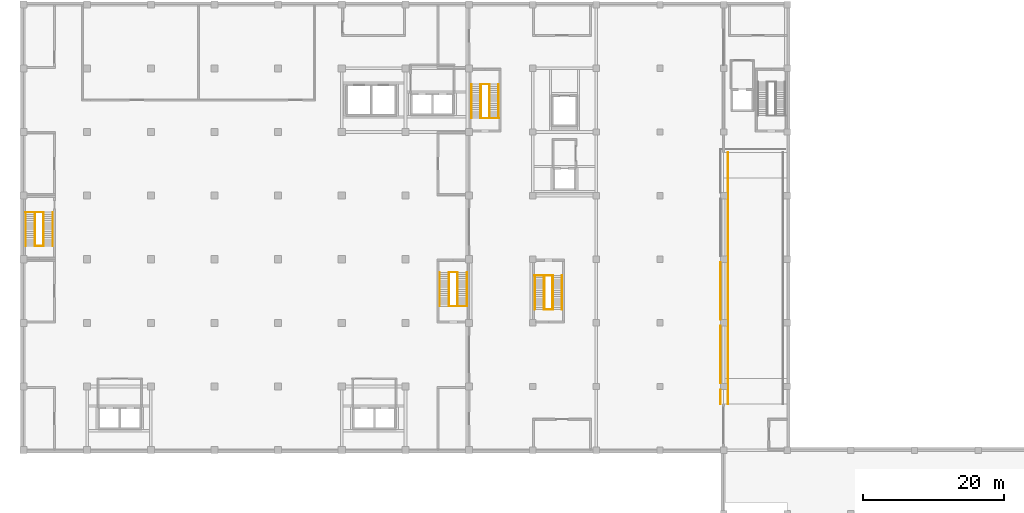
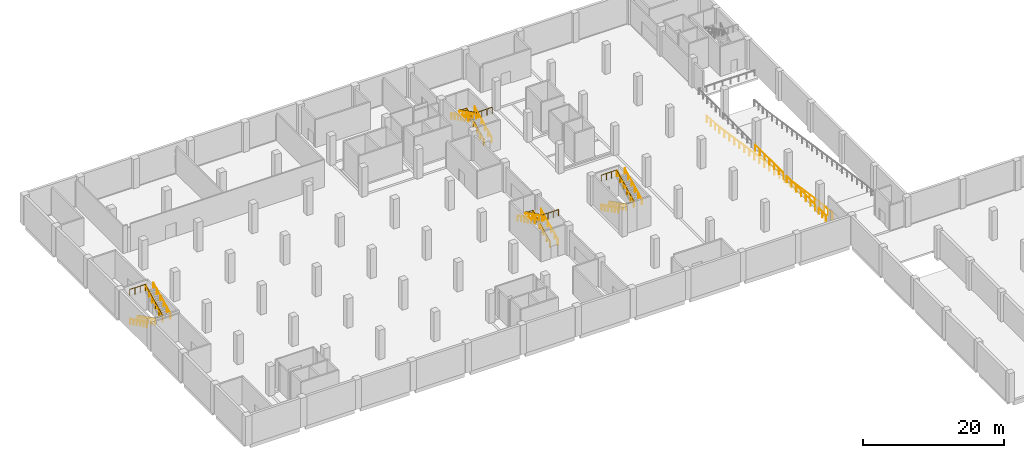
# One storey, part 14 of 16: 24 railings.
"""IFC4 building model written with IfcOpenShell, lengths in metres."""

from ifc_helpers import new_model, si_unit, direction, frame, origin, origin_2d, place, context, subcontext, project, spatial, circle, extrude, material, type_object, element, save


model = new_model("IFC4")

# Units and contexts
model_context = context("Model", 3, precision=1e-05, world=origin(), true_north=direction((0.0, 1.0)))
body_context = subcontext(model_context, "Body", "Model", "MODEL_VIEW")
ifc_project = project(units=[si_unit("LENGTHUNIT", "METRE"), si_unit("AREAUNIT", "SQUARE_METRE"), si_unit("VOLUMEUNIT", "CUBIC_METRE"), si_unit("PLANEANGLEUNIT", "RADIAN"), si_unit("MASSUNIT", "GRAM", prefix="KILO")], contexts=[model_context])

# Site, building, storey
site_placement = place(None, origin())
site = spatial("IfcSite", under=ifc_project, at=site_placement, CompositionType="ELEMENT")
building_placement = place(site_placement, origin())
building = spatial("IfcBuilding", under=site, at=building_placement, Name="Guidao Yard Department Store", CompositionType="ELEMENT")
storey_placement = place(building_placement, frame((0.0, 0.0, -5.10009765625)))
storey = spatial("IfcBuildingStorey", under=building, at=storey_placement, Name="B1", CompositionType="ELEMENT", Elevation=-5.10009765625)

# Railings
ifc_material_1 = material(Name="Steel Q235", Category="steel")
railing_type_1 = type_object("IfcRailingType", Name="Guard steel balustrade 1100", PredefinedType="GUARDRAIL", material=ifc_material_1)
railing_1_placement = place(storey_placement, frame((73.64990234375, 69.699951171875, 0.150146484375)))
element("IfcRailing", 1, at=railing_1_placement, inside=storey, type_object=railing_type_1, Name="Basement stair G1 guard B1 1", PredefinedType="GUARDRAIL", context=body_context, shape_type="SweptSolid", body=[
    extrude(circle(Radius=0.02392578125, at=origin_2d()), frame((0.0, 0.0, 1.076171875), z_axis=(0.0, -0.894436289399, 0.44719539824), x_axis=(1.0, 0.0, 0.0)), (0.0, 0.0, 1.0), 5.366455078125),
    extrude(circle(Radius=0.02392578125, at=origin_2d()), frame((0.0, -4.800048828125, 3.47607421875), z_axis=(1.0, 0.0, 0.0), x_axis=(0.0, 1.0, 0.0)), (0.0, 0.0, 1.0), 1.150146484375),
    extrude(circle(Radius=0.02392578125, at=origin_2d()), frame((1.150146484375, -4.800048828125, 3.47607421875), z_axis=(0.0, 0.0, 1.0), x_axis=(1.0, 0.0, 0.0)), (0.0, 0.0, 1.0), 0.150146484375),
    extrude(circle(Radius=0.02392578125, at=origin_2d()), frame((1.150146484375, -4.800048828125, 3.6259765625), z_axis=(0.0, 0.894436289399, 0.44719539824), x_axis=(-1.0, 0.0, 0.0)), (0.0, 0.0, 1.0), 5.366455078125),
    extrude(circle(Radius=0.02392578125, at=origin_2d()), frame((1.150146484375, 0.0, 6.02587890625), z_axis=(-1.0, 0.0, 0.0), x_axis=(0.0, -1.0, 0.0)), (0.0, 0.0, 1.0), 2.550048828125),
    extrude(circle(Radius=0.02099609375, at=origin_2d()), origin(), (0.0, 0.0, 1.0), 1.052001953125),
    extrude(circle(Radius=0.02099609375, at=origin_2d()), frame((0.0, -0.9599609375, 0.47998046875)), (0.0, 0.0, 1.0), 1.052001953125),
    extrude(circle(Radius=0.02099609375, at=origin_2d()), frame((0.0, -1.919921875, 0.9599609375)), (0.0, 0.0, 1.0), 1.052001953125),
    extrude(circle(Radius=0.02099609375, at=origin_2d()), frame((0.0, -2.880126953125, 1.43994140625)), (0.0, 0.0, 1.0), 1.052001953125),
    extrude(circle(Radius=0.02099609375, at=origin_2d()), frame((0.0, -3.840087890625, 1.919921875)), (0.0, 0.0, 1.0), 1.052001953125),
    extrude(circle(Radius=0.02099609375, at=origin_2d()), frame((0.0, -4.800048828125, 2.39990234375)), (0.0, 0.0, 1.0), 1.052001953125),
    extrude(circle(Radius=0.02099609375, at=origin_2d()), frame((1.150146484375, -4.800048828125, 2.39990234375)), (0.0, 0.0, 1.0), 1.052001953125),
    extrude(circle(Radius=0.02099609375, at=origin_2d()), frame((1.150146484375, -4.800048828125, 2.550048828125)), (0.0, 0.0, 1.0), 1.052001953125),
    extrude(circle(Radius=0.02099609375, at=origin_2d()), frame((1.150146484375, -3.840087890625, 3.030029296875)), (0.0, 0.0, 1.0), 1.052001953125),
    extrude(circle(Radius=0.02099609375, at=origin_2d()), frame((1.150146484375, -2.880126953125, 3.510009765625)), (0.0, 0.0, 1.0), 1.052001953125),
    extrude(circle(Radius=0.02099609375, at=origin_2d()), frame((1.150146484375, -1.919921875, 3.989990234375)), (0.0, 0.0, 1.0), 1.052001953125),
    extrude(circle(Radius=0.02099609375, at=origin_2d()), frame((1.150146484375, -0.9599609375, 4.469970703125)), (0.0, 0.0, 1.0), 1.052001953125),
    extrude(circle(Radius=0.02099609375, at=origin_2d()), frame((1.150146484375, 0.0, 4.949951171875)), (0.0, 0.0, 1.0), 1.052001953125),
    extrude(circle(Radius=0.02099609375, at=origin_2d()), frame((0.300048828125, 0.0, 4.949951171875)), (0.0, 0.0, 1.0), 1.052001953125),
    extrude(circle(Radius=0.02099609375, at=origin_2d()), frame((-0.5498046875, 0.0, 4.949951171875)), (0.0, 0.0, 1.0), 1.052001953125),
    extrude(circle(Radius=0.02099609375, at=origin_2d()), frame((-1.39990234375, 0.0, 4.949951171875)), (0.0, 0.0, 1.0), 1.052001953125),
])
railing_2_placement = place(storey_placement, frame((1.64990234375, 78.64990234375, 0.150146484375)))
element("IfcRailing", 2, at=railing_2_placement, inside=storey, type_object=railing_type_1, Name="Basement stair H1 guard B1 3", PredefinedType="GUARDRAIL", context=body_context, shape_type="SweptSolid", body=[
    extrude(circle(Radius=0.02392578125, at=origin_2d()), frame((0.0, 0.0, 1.076171875), z_axis=(0.0, -0.894427191, 0.4472135955), x_axis=(1.0, 0.0, 0.0)), (0.0, 0.0, 1.0), 5.366455078125),
    extrude(circle(Radius=0.02392578125, at=origin_2d()), frame((0.0, -4.7998046875, 3.47607421875), z_axis=(1.0, 0.0, 0.0), x_axis=(0.0, 1.0, 0.0)), (0.0, 0.0, 1.0), 1.150146484375),
    extrude(circle(Radius=0.02392578125, at=origin_2d()), frame((1.150146484375, -4.7998046875, 3.47607421875), z_axis=(0.0, 0.0, 1.0), x_axis=(1.0, 0.0, 0.0)), (0.0, 0.0, 1.0), 0.150146484375),
    extrude(circle(Radius=0.02392578125, at=origin_2d()), frame((1.150146484375, -4.7998046875, 3.6259765625), z_axis=(0.0, 0.894427191, 0.4472135955), x_axis=(-1.0, 0.0, 0.0)), (0.0, 0.0, 1.0), 5.366455078125),
    extrude(circle(Radius=0.02392578125, at=origin_2d()), frame((1.150146484375, 0.0, 6.02587890625), z_axis=(-1.0, 0.0, 0.0), x_axis=(0.0, -1.0, 0.0)), (0.0, 0.0, 1.0), 2.550048828125),
    extrude(circle(Radius=0.02099609375, at=origin_2d()), origin(), (0.0, 0.0, 1.0), 1.052001953125),
    extrude(circle(Radius=0.02099609375, at=origin_2d()), frame((0.0, -0.9599609375, 0.47998046875)), (0.0, 0.0, 1.0), 1.052001953125),
    extrude(circle(Radius=0.02099609375, at=origin_2d()), frame((0.0, -1.919921875, 0.9599609375)), (0.0, 0.0, 1.0), 1.052001953125),
    extrude(circle(Radius=0.02099609375, at=origin_2d()), frame((0.0, -2.8798828125, 1.43994140625)), (0.0, 0.0, 1.0), 1.052001953125),
    extrude(circle(Radius=0.02099609375, at=origin_2d()), frame((0.0, -3.83984375, 1.919921875)), (0.0, 0.0, 1.0), 1.052001953125),
    extrude(circle(Radius=0.02099609375, at=origin_2d()), frame((0.0, -4.7998046875, 2.39990234375)), (0.0, 0.0, 1.0), 1.052001953125),
    extrude(circle(Radius=0.02099609375, at=origin_2d()), frame((1.150146484375, -4.7998046875, 2.39990234375)), (0.0, 0.0, 1.0), 1.052001953125),
    extrude(circle(Radius=0.02099609375, at=origin_2d()), frame((1.150146484375, -4.7998046875, 2.550048828125)), (0.0, 0.0, 1.0), 1.052001953125),
    extrude(circle(Radius=0.02099609375, at=origin_2d()), frame((1.150146484375, -3.83984375, 3.030029296875)), (0.0, 0.0, 1.0), 1.052001953125),
    extrude(circle(Radius=0.02099609375, at=origin_2d()), frame((1.150146484375, -2.8798828125, 3.510009765625)), (0.0, 0.0, 1.0), 1.052001953125),
    extrude(circle(Radius=0.02099609375, at=origin_2d()), frame((1.150146484375, -1.919921875, 3.989990234375)), (0.0, 0.0, 1.0), 1.052001953125),
    extrude(circle(Radius=0.02099609375, at=origin_2d()), frame((1.150146484375, -0.9599609375, 4.469970703125)), (0.0, 0.0, 1.0), 1.052001953125),
    extrude(circle(Radius=0.02099609375, at=origin_2d()), frame((1.150146484375, 0.0, 4.949951171875)), (0.0, 0.0, 1.0), 1.052001953125),
    extrude(circle(Radius=0.02099609375, at=origin_2d()), frame((0.300048828125, 0.0, 4.949951171875)), (0.0, 0.0, 1.0), 1.052001953125),
    extrude(circle(Radius=0.02099609375, at=origin_2d()), frame((-0.5498046875, 0.0, 4.949951171875)), (0.0, 0.0, 1.0), 1.052001953125),
    extrude(circle(Radius=0.02099609375, at=origin_2d()), frame((-1.39990234375, 0.0, 4.949951171875)), (0.0, 0.0, 1.0), 1.052001953125),
])
railing_3_placement = place(storey_placement, frame((65.85009765625, 91.949951171875, 0.150146484375)))
element("IfcRailing", 3, at=railing_3_placement, inside=storey, type_object=railing_type_1, Name="Basement stair H2 guard B1 4", PredefinedType="GUARDRAIL", context=body_context, shape_type="SweptSolid", body=[
    extrude(circle(Radius=0.02392578125, at=origin_2d()), frame((0.0, 0.0, 1.076171875), z_axis=(0.0, 0.894436289399, 0.44719539824), x_axis=(-1.0, 0.0, 0.0)), (0.0, 0.0, 1.0), 5.366455078125),
    extrude(circle(Radius=0.02392578125, at=origin_2d()), frame((0.0, 4.800048828125, 3.47607421875), z_axis=(-1.0, 0.0, 0.0), x_axis=(0.0, -1.0, 0.0)), (0.0, 0.0, 1.0), 1.150146484375),
    extrude(circle(Radius=0.02392578125, at=origin_2d()), frame((-1.150146484375, 4.800048828125, 3.47607421875), z_axis=(0.0, 0.0, 1.0), x_axis=(1.0, 0.0, 0.0)), (0.0, 0.0, 1.0), 0.150146484375),
    extrude(circle(Radius=0.02392578125, at=origin_2d()), frame((-1.150146484375, 4.800048828125, 3.6259765625), z_axis=(0.0, -0.894436289399, 0.44719539824), x_axis=(1.0, 0.0, 0.0)), (0.0, 0.0, 1.0), 5.366455078125),
    extrude(circle(Radius=0.02392578125, at=origin_2d()), frame((-1.150146484375, 0.0, 6.02587890625), z_axis=(1.0, 0.0, 0.0), x_axis=(0.0, 1.0, 0.0)), (0.0, 0.0, 1.0), 2.550048828125),
    extrude(circle(Radius=0.02099609375, at=origin_2d()), origin(), (0.0, 0.0, 1.0), 1.052001953125),
    extrude(circle(Radius=0.02099609375, at=origin_2d()), frame((0.0, 0.9599609375, 0.47998046875)), (0.0, 0.0, 1.0), 1.052001953125),
    extrude(circle(Radius=0.02099609375, at=origin_2d()), frame((0.0, 1.919921875, 0.9599609375)), (0.0, 0.0, 1.0), 1.052001953125),
    extrude(circle(Radius=0.02099609375, at=origin_2d()), frame((0.0, 2.880126953125, 1.43994140625)), (0.0, 0.0, 1.0), 1.052001953125),
    extrude(circle(Radius=0.02099609375, at=origin_2d()), frame((0.0, 3.840087890625, 1.919921875)), (0.0, 0.0, 1.0), 1.052001953125),
    extrude(circle(Radius=0.02099609375, at=origin_2d()), frame((0.0, 4.800048828125, 2.39990234375)), (0.0, 0.0, 1.0), 1.052001953125),
    extrude(circle(Radius=0.02099609375, at=origin_2d()), frame((-1.150146484375, 4.800048828125, 2.39990234375)), (0.0, 0.0, 1.0), 1.052001953125),
    extrude(circle(Radius=0.02099609375, at=origin_2d()), frame((-1.150146484375, 4.800048828125, 2.550048828125)), (0.0, 0.0, 1.0), 1.052001953125),
    extrude(circle(Radius=0.02099609375, at=origin_2d()), frame((-1.150146484375, 3.840087890625, 3.030029296875)), (0.0, 0.0, 1.0), 1.052001953125),
    extrude(circle(Radius=0.02099609375, at=origin_2d()), frame((-1.150146484375, 2.880126953125, 3.510009765625)), (0.0, 0.0, 1.0), 1.052001953125),
    extrude(circle(Radius=0.02099609375, at=origin_2d()), frame((-1.150146484375, 1.919921875, 3.989990234375)), (0.0, 0.0, 1.0), 1.052001953125),
    extrude(circle(Radius=0.02099609375, at=origin_2d()), frame((-1.150146484375, 0.9599609375, 4.469970703125)), (0.0, 0.0, 1.0), 1.052001953125),
    extrude(circle(Radius=0.02099609375, at=origin_2d()), frame((-1.150146484375, 0.0, 4.949951171875)), (0.0, 0.0, 1.0), 1.052001953125),
    extrude(circle(Radius=0.02099609375, at=origin_2d()), frame((-0.300048828125, 0.0, 4.949951171875)), (0.0, 0.0, 1.0), 1.052001953125),
    extrude(circle(Radius=0.02099609375, at=origin_2d()), frame((0.5498046875, 0.0, 4.949951171875)), (0.0, 0.0, 1.0), 1.052001953125),
    extrude(circle(Radius=0.02099609375, at=origin_2d()), frame((1.39990234375, 0.0, 4.949951171875)), (0.0, 0.0, 1.0), 1.052001953125),
])
railing_4_placement = place(storey_placement, frame((61.35009765625, 65.35009765625, 0.150146484375)))
element("IfcRailing", 4, at=railing_4_placement, inside=storey, type_object=railing_type_1, Name="Basement stair H3 guard B1 5", PredefinedType="GUARDRAIL", context=body_context, shape_type="SweptSolid", body=[
    extrude(circle(Radius=0.02392578125, at=origin_2d()), frame((0.0, 0.0, 1.076171875), z_axis=(0.0, 0.894427191, 0.4472135955), x_axis=(-1.0, 0.0, 0.0)), (0.0, 0.0, 1.0), 5.366455078125),
    extrude(circle(Radius=0.02392578125, at=origin_2d()), frame((0.0, 4.7998046875, 3.47607421875), z_axis=(-1.0, 0.0, 0.0), x_axis=(0.0, -1.0, 0.0)), (0.0, 0.0, 1.0), 1.150146484375),
    extrude(circle(Radius=0.02392578125, at=origin_2d()), frame((-1.150146484375, 4.7998046875, 3.47607421875), z_axis=(0.0, 0.0, 1.0), x_axis=(1.0, 0.0, 0.0)), (0.0, 0.0, 1.0), 0.150146484375),
    extrude(circle(Radius=0.02392578125, at=origin_2d()), frame((-1.150146484375, 4.7998046875, 3.6259765625), z_axis=(0.0, -0.894427191, 0.4472135955), x_axis=(1.0, 0.0, 0.0)), (0.0, 0.0, 1.0), 5.366455078125),
    extrude(circle(Radius=0.02392578125, at=origin_2d()), frame((-1.150146484375, 0.0, 6.02587890625), z_axis=(1.0, 0.0, 0.0), x_axis=(0.0, 1.0, 0.0)), (0.0, 0.0, 1.0), 2.550048828125),
    extrude(circle(Radius=0.02099609375, at=origin_2d()), origin(), (0.0, 0.0, 1.0), 1.052001953125),
    extrude(circle(Radius=0.02099609375, at=origin_2d()), frame((0.0, 0.9599609375, 0.47998046875)), (0.0, 0.0, 1.0), 1.052001953125),
    extrude(circle(Radius=0.02099609375, at=origin_2d()), frame((0.0, 1.919921875, 0.9599609375)), (0.0, 0.0, 1.0), 1.052001953125),
    extrude(circle(Radius=0.02099609375, at=origin_2d()), frame((0.0, 2.8798828125, 1.43994140625)), (0.0, 0.0, 1.0), 1.052001953125),
    extrude(circle(Radius=0.02099609375, at=origin_2d()), frame((0.0, 3.83984375, 1.919921875)), (0.0, 0.0, 1.0), 1.052001953125),
    extrude(circle(Radius=0.02099609375, at=origin_2d()), frame((0.0, 4.7998046875, 2.39990234375)), (0.0, 0.0, 1.0), 1.052001953125),
    extrude(circle(Radius=0.02099609375, at=origin_2d()), frame((-1.150146484375, 4.7998046875, 2.39990234375)), (0.0, 0.0, 1.0), 1.052001953125),
    extrude(circle(Radius=0.02099609375, at=origin_2d()), frame((-1.150146484375, 4.7998046875, 2.550048828125)), (0.0, 0.0, 1.0), 1.052001953125),
    extrude(circle(Radius=0.02099609375, at=origin_2d()), frame((-1.150146484375, 3.83984375, 3.030029296875)), (0.0, 0.0, 1.0), 1.052001953125),
    extrude(circle(Radius=0.02099609375, at=origin_2d()), frame((-1.150146484375, 2.8798828125, 3.510009765625)), (0.0, 0.0, 1.0), 1.052001953125),
    extrude(circle(Radius=0.02099609375, at=origin_2d()), frame((-1.150146484375, 1.919921875, 3.989990234375)), (0.0, 0.0, 1.0), 1.052001953125),
    extrude(circle(Radius=0.02099609375, at=origin_2d()), frame((-1.150146484375, 0.9599609375, 4.469970703125)), (0.0, 0.0, 1.0), 1.052001953125),
    extrude(circle(Radius=0.02099609375, at=origin_2d()), frame((-1.150146484375, 0.0, 4.949951171875)), (0.0, 0.0, 1.0), 1.052001953125),
    extrude(circle(Radius=0.02099609375, at=origin_2d()), frame((-0.300048828125, 0.0, 4.949951171875)), (0.0, 0.0, 1.0), 1.052001953125),
    extrude(circle(Radius=0.02099609375, at=origin_2d()), frame((0.5498046875, 0.0, 4.949951171875)), (0.0, 0.0, 1.0), 1.052001953125),
    extrude(circle(Radius=0.02099609375, at=origin_2d()), frame((1.39990234375, 0.0, 4.949951171875)), (0.0, 0.0, 1.0), 1.052001953125),
])
railing_5_placement = place(storey_placement, frame((99.60009765625, 51.5, 0.0)))
element("IfcRailing", 5, at=railing_5_placement, inside=storey, type_object=railing_type_1, Name="Car ramp B guard W", PredefinedType="GUARDRAIL", context=body_context, shape_type="SweptSolid", body=[
    extrude(circle(Radius=0.02392578125, at=origin_2d()), frame((0.0, 0.0, 1.076171875), z_axis=(0.0, 0.997199057707, -0.074793310581), x_axis=(-1.0, 0.0, 0.0)), (0.0, 0.0, 1.0), 3.610107421875),
    extrude(circle(Radius=0.02392578125, at=origin_2d()), frame((0.0, 3.60009765625, 0.80615234375), z_axis=(0.0, 0.988937475278, -0.148332970004), x_axis=(-1.0, 0.0, 0.0)), (0.0, 0.0, 1.0), 28.717529296875),
    extrude(circle(Radius=0.02392578125, at=origin_2d()), frame((0.0, 32.0, -3.45361328125), z_axis=(0.0, 0.997199057707, -0.074793310581), x_axis=(-1.0, 0.0, 0.0)), (0.0, 0.0, 1.0), 3.610107421875),
    extrude(circle(Radius=0.02099609375, at=origin_2d()), origin(), (0.0, 0.0, 1.0), 1.052001953125),
    extrude(circle(Radius=0.02099609375, at=origin_2d()), frame((0.0, 1.199951171875, -0.090087890625)), (0.0, 0.0, 1.0), 1.052001953125),
    extrude(circle(Radius=0.02099609375, at=origin_2d()), frame((0.0, 2.400146484375, -0.179931640625)), (0.0, 0.0, 1.0), 1.052001953125),
    extrude(circle(Radius=0.02099609375, at=origin_2d()), frame((0.0, 3.60009765625, -0.27001953125)), (0.0, 0.0, 1.0), 1.052001953125),
    extrude(circle(Radius=0.02099609375, at=origin_2d()), frame((0.0, 5.02001953125, -0.48291015625)), (0.0, 0.0, 1.0), 1.052001953125),
    extrude(circle(Radius=0.02099609375, at=origin_2d()), frame((0.0, 6.440185546875, -0.696044921875)), (0.0, 0.0, 1.0), 1.052001953125),
    extrude(circle(Radius=0.02099609375, at=origin_2d()), frame((0.0, 7.860107421875, -0.908935546875)), (0.0, 0.0, 1.0), 1.052001953125),
    extrude(circle(Radius=0.02099609375, at=origin_2d()), frame((0.0, 9.280029296875, -1.1220703125)), (0.0, 0.0, 1.0), 1.052001953125),
    extrude(circle(Radius=0.02099609375, at=origin_2d()), frame((0.0, 10.7001953125, -1.3349609375)), (0.0, 0.0, 1.0), 1.052001953125),
    extrude(circle(Radius=0.02099609375, at=origin_2d()), frame((0.0, 12.1201171875, -1.5478515625)), (0.0, 0.0, 1.0), 1.052001953125),
    extrude(circle(Radius=0.02099609375, at=origin_2d()), frame((0.0, 13.5400390625, -1.760986328125)), (0.0, 0.0, 1.0), 1.052001953125),
    extrude(circle(Radius=0.02099609375, at=origin_2d()), frame((0.0, 14.9599609375, -1.973876953125)), (0.0, 0.0, 1.0), 1.052001953125),
    extrude(circle(Radius=0.02099609375, at=origin_2d()), frame((0.0, 16.380126953125, -2.18701171875)), (0.0, 0.0, 1.0), 1.052001953125),
    extrude(circle(Radius=0.02099609375, at=origin_2d()), frame((0.0, 17.800048828125, -2.39990234375)), (0.0, 0.0, 1.0), 1.052001953125),
    extrude(circle(Radius=0.02099609375, at=origin_2d()), frame((0.0, 19.219970703125, -2.61279296875)), (0.0, 0.0, 1.0), 1.052001953125),
    extrude(circle(Radius=0.02099609375, at=origin_2d()), frame((0.0, 20.64013671875, -2.825927734375)), (0.0, 0.0, 1.0), 1.052001953125),
    extrude(circle(Radius=0.02099609375, at=origin_2d()), frame((0.0, 22.06005859375, -3.038818359375)), (0.0, 0.0, 1.0), 1.052001953125),
    extrude(circle(Radius=0.02099609375, at=origin_2d()), frame((0.0, 23.47998046875, -3.251953125)), (0.0, 0.0, 1.0), 1.052001953125),
    extrude(circle(Radius=0.02099609375, at=origin_2d()), frame((0.0, 24.89990234375, -3.46484375)), (0.0, 0.0, 1.0), 1.052001953125),
    extrude(circle(Radius=0.02099609375, at=origin_2d()), frame((0.0, 26.320068359375, -3.677734375)), (0.0, 0.0, 1.0), 1.052001953125),
    extrude(circle(Radius=0.02099609375, at=origin_2d()), frame((0.0, 27.739990234375, -3.890869140625)), (0.0, 0.0, 1.0), 1.052001953125),
    extrude(circle(Radius=0.02099609375, at=origin_2d()), frame((0.0, 29.159912109375, -4.103759765625)), (0.0, 0.0, 1.0), 1.052001953125),
    extrude(circle(Radius=0.02099609375, at=origin_2d()), frame((0.0, 30.580078125, -4.31689453125)), (0.0, 0.0, 1.0), 1.052001953125),
    extrude(circle(Radius=0.02099609375, at=origin_2d()), frame((0.0, 32.0, -4.52978515625)), (0.0, 0.0, 1.0), 1.052001953125),
    extrude(circle(Radius=0.02099609375, at=origin_2d()), frame((0.0, 33.199951171875, -4.619873046875)), (0.0, 0.0, 1.0), 1.052001953125),
    extrude(circle(Radius=0.02099609375, at=origin_2d()), frame((0.0, 34.400146484375, -4.709716796875)), (0.0, 0.0, 1.0), 1.052001953125),
    extrude(circle(Radius=0.02099609375, at=origin_2d()), frame((0.0, 35.60009765625, -4.7998046875)), (0.0, 0.0, 1.0), 1.052001953125),
])
railing_6_placement = place(storey_placement, frame((98.550048828125, 51.5, 0.0)))
element("IfcRailing", 6, at=railing_6_placement, inside=storey, type_object=railing_type_1, Name="Guard ramp B W B1", PredefinedType="GUARDRAIL", context=body_context, shape_type="SweptSolid", body=[
    extrude(circle(Radius=0.02392578125, at=origin_2d()), frame((0.0, 0.0, 1.076171875), z_axis=(0.0, 1.0, 0.0), x_axis=(-1.0, 0.0, 0.0)), (0.0, 0.0, 1.0), 2.050048828125),
    extrude(circle(Radius=0.02099609375, at=origin_2d()), origin(), (0.0, 0.0, 1.0), 1.052001953125),
    extrude(circle(Radius=0.02099609375, at=origin_2d()), frame((0.0, 1.02490234375, 0.0)), (0.0, 0.0, 1.0), 1.052001953125),
    extrude(circle(Radius=0.02099609375, at=origin_2d()), frame((0.0, 2.050048828125, 0.0)), (0.0, 0.0, 1.0), 1.052001953125),
])
for number, where, name in (
    (7, (98.550048828125, 54.449951171875, 0.0), "Guard ramp B W B1"),
    (8, (98.550048828125, 63.449951171875, 0.0), "Guard ramp B W B1"),
):
    element("IfcRailing", number, at=place(storey_placement, frame(where)), inside=storey, type_object=railing_type_1, Name=name, PredefinedType="GUARDRAIL", context=body_context, shape_type="SweptSolid", body=[
        extrude(circle(Radius=0.02392578125, at=origin_2d()), frame((0.0, 0.0, 1.076171875), z_axis=(0.0, 1.0, 0.0), x_axis=(-1.0, 0.0, 0.0)), (0.0, 0.0, 1.0), 8.10009765625),
        extrude(circle(Radius=0.02099609375, at=origin_2d()), origin(), (0.0, 0.0, 1.0), 1.052001953125),
        extrude(circle(Radius=0.02099609375, at=origin_2d()), frame((0.0, 1.35009765625, 0.0)), (0.0, 0.0, 1.0), 1.052001953125),
        extrude(circle(Radius=0.02099609375, at=origin_2d()), frame((0.0, 2.699951171875, 0.0)), (0.0, 0.0, 1.0), 1.052001953125),
        extrude(circle(Radius=0.02099609375, at=origin_2d()), frame((0.0, 4.050048828125, 0.0)), (0.0, 0.0, 1.0), 1.052001953125),
        extrude(circle(Radius=0.02099609375, at=origin_2d()), frame((0.0, 5.400146484375, 0.0)), (0.0, 0.0, 1.0), 1.052001953125),
        extrude(circle(Radius=0.02099609375, at=origin_2d()), frame((0.0, 6.75, 0.0)), (0.0, 0.0, 1.0), 1.052001953125),
        extrude(circle(Radius=0.02099609375, at=origin_2d()), frame((0.0, 8.10009765625, 0.0)), (0.0, 0.0, 1.0), 1.052001953125),
    ])
ifc_material_2 = material(Name="Steel Q235", Category="steel")
railing_type_2 = type_object("IfcRailingType", Name="Handrail steel tube 48", PredefinedType="HANDRAIL", material=ifc_material_2)
for number, where, name in (
    (9, (72.31005859375, 69.699951171875, 0.150146484375), "Basement stair G1 hand rail B1 1"),
    (10, (73.590087890625, 69.699951171875, 0.150146484375), "Basement stair G1 hand rail B1 2"),
):
    element("IfcRailing", number, at=place(storey_placement, frame(where)), inside=storey, type_object=railing_type_2, Name=name, PredefinedType="HANDRAIL", context=body_context, shape_type="SweptSolid", body=[
        extrude(circle(Radius=0.02392578125, at=origin_2d()), frame((0.0, 0.0, 0.8759765625), z_axis=(0.0, -0.894436289399, 0.44719539824), x_axis=(1.0, 0.0, 0.0)), (0.0, 0.0, 1.0), 5.366455078125),
        extrude(circle(Radius=0.02099609375, at=origin_2d()), origin(), (0.0, 0.0, 1.0), 0.851806640625),
        extrude(circle(Radius=0.02099609375, at=origin_2d()), frame((0.0, -0.9599609375, 0.47998046875)), (0.0, 0.0, 1.0), 0.851806640625),
        extrude(circle(Radius=0.02099609375, at=origin_2d()), frame((0.0, -1.919921875, 0.9599609375)), (0.0, 0.0, 1.0), 0.851806640625),
        extrude(circle(Radius=0.02099609375, at=origin_2d()), frame((0.0, -2.880126953125, 1.43994140625)), (0.0, 0.0, 1.0), 0.851806640625),
        extrude(circle(Radius=0.02099609375, at=origin_2d()), frame((0.0, -3.840087890625, 1.919921875)), (0.0, 0.0, 1.0), 0.851806640625),
        extrude(circle(Radius=0.02099609375, at=origin_2d()), frame((0.0, -4.800048828125, 2.39990234375)), (0.0, 0.0, 1.0), 0.851806640625),
    ])
for number, where, name in (
    (11, (74.860107421875, 64.89990234375, 2.7001953125), "Basement stair G1 hand rail B1 3"),
    (12, (76.139892578125, 64.89990234375, 2.7001953125), "Basement stair G1 hand rail B1 4"),
):
    element("IfcRailing", number, at=place(storey_placement, frame(where)), inside=storey, type_object=railing_type_2, Name=name, PredefinedType="HANDRAIL", context=body_context, shape_type="SweptSolid", body=[
        extrude(circle(Radius=0.02392578125, at=origin_2d()), frame((0.0, 0.0, 0.8759765625), z_axis=(0.0, 0.894436289399, 0.44719539824), x_axis=(-1.0, 0.0, 0.0)), (0.0, 0.0, 1.0), 5.366455078125),
        extrude(circle(Radius=0.02099609375, at=origin_2d()), origin(), (0.0, 0.0, 1.0), 0.851806640625),
        extrude(circle(Radius=0.02099609375, at=origin_2d()), frame((0.0, 0.9599609375, 0.47998046875)), (0.0, 0.0, 1.0), 0.851806640625),
        extrude(circle(Radius=0.02099609375, at=origin_2d()), frame((0.0, 1.919921875, 0.9599609375)), (0.0, 0.0, 1.0), 0.851806640625),
        extrude(circle(Radius=0.02099609375, at=origin_2d()), frame((0.0, 2.880126953125, 1.43994140625)), (0.0, 0.0, 1.0), 0.851806640625),
        extrude(circle(Radius=0.02099609375, at=origin_2d()), frame((0.0, 3.840087890625, 1.919921875)), (0.0, 0.0, 1.0), 0.851806640625),
        extrude(circle(Radius=0.02099609375, at=origin_2d()), frame((0.0, 4.800048828125, 2.39990234375)), (0.0, 0.0, 1.0), 0.851806640625),
    ])
for number, where, name in (
    (13, (0.31005859375, 78.64990234375, 0.150146484375), "Basement stair H1 hand rail B1 9"),
    (14, (1.590087890625, 78.64990234375, 0.150146484375), "Basement stair H1 hand rail B1 10"),
):
    element("IfcRailing", number, at=place(storey_placement, frame(where)), inside=storey, type_object=railing_type_2, Name=name, PredefinedType="HANDRAIL", context=body_context, shape_type="SweptSolid", body=[
        extrude(circle(Radius=0.02392578125, at=origin_2d()), frame((0.0, 0.0, 0.8759765625), z_axis=(0.0, -0.894427191, 0.4472135955), x_axis=(1.0, 0.0, 0.0)), (0.0, 0.0, 1.0), 5.366455078125),
        extrude(circle(Radius=0.02099609375, at=origin_2d()), origin(), (0.0, 0.0, 1.0), 0.851806640625),
        extrude(circle(Radius=0.02099609375, at=origin_2d()), frame((0.0, -0.9599609375, 0.47998046875)), (0.0, 0.0, 1.0), 0.851806640625),
        extrude(circle(Radius=0.02099609375, at=origin_2d()), frame((0.0, -1.919921875, 0.9599609375)), (0.0, 0.0, 1.0), 0.851806640625),
        extrude(circle(Radius=0.02099609375, at=origin_2d()), frame((0.0, -2.8798828125, 1.43994140625)), (0.0, 0.0, 1.0), 0.851806640625),
        extrude(circle(Radius=0.02099609375, at=origin_2d()), frame((0.0, -3.83984375, 1.919921875)), (0.0, 0.0, 1.0), 0.851806640625),
        extrude(circle(Radius=0.02099609375, at=origin_2d()), frame((0.0, -4.7998046875, 2.39990234375)), (0.0, 0.0, 1.0), 0.851806640625),
    ])
for number, where, name in (
    (15, (2.860107421875, 73.85009765625, 2.7001953125), "Basement stair H1 hand rail B1 11"),
    (16, (4.139892578125, 73.85009765625, 2.7001953125), "Basement stair H1 hand rail B1 12"),
):
    element("IfcRailing", number, at=place(storey_placement, frame(where)), inside=storey, type_object=railing_type_2, Name=name, PredefinedType="HANDRAIL", context=body_context, shape_type="SweptSolid", body=[
        extrude(circle(Radius=0.02392578125, at=origin_2d()), frame((0.0, 0.0, 0.8759765625), z_axis=(0.0, 0.894427191, 0.4472135955), x_axis=(-1.0, 0.0, 0.0)), (0.0, 0.0, 1.0), 5.366455078125),
        extrude(circle(Radius=0.02099609375, at=origin_2d()), origin(), (0.0, 0.0, 1.0), 0.851806640625),
        extrude(circle(Radius=0.02099609375, at=origin_2d()), frame((0.0, 0.9599609375, 0.47998046875)), (0.0, 0.0, 1.0), 0.851806640625),
        extrude(circle(Radius=0.02099609375, at=origin_2d()), frame((0.0, 1.919921875, 0.9599609375)), (0.0, 0.0, 1.0), 0.851806640625),
        extrude(circle(Radius=0.02099609375, at=origin_2d()), frame((0.0, 2.8798828125, 1.43994140625)), (0.0, 0.0, 1.0), 0.851806640625),
        extrude(circle(Radius=0.02099609375, at=origin_2d()), frame((0.0, 3.83984375, 1.919921875)), (0.0, 0.0, 1.0), 0.851806640625),
        extrude(circle(Radius=0.02099609375, at=origin_2d()), frame((0.0, 4.7998046875, 2.39990234375)), (0.0, 0.0, 1.0), 0.851806640625),
    ])
for number, where, name in (
    (17, (67.18994140625, 91.949951171875, 0.150146484375), "Basement stair H2 hand rail B1 13"),
    (18, (65.909912109375, 91.949951171875, 0.150146484375), "Basement stair H2 hand rail B1 14"),
):
    element("IfcRailing", number, at=place(storey_placement, frame(where)), inside=storey, type_object=railing_type_2, Name=name, PredefinedType="HANDRAIL", context=body_context, shape_type="SweptSolid", body=[
        extrude(circle(Radius=0.02392578125, at=origin_2d()), frame((0.0, 0.0, 0.8759765625), z_axis=(0.0, 0.894436289399, 0.44719539824), x_axis=(-1.0, 0.0, 0.0)), (0.0, 0.0, 1.0), 5.366455078125),
        extrude(circle(Radius=0.02099609375, at=origin_2d()), origin(), (0.0, 0.0, 1.0), 0.851806640625),
        extrude(circle(Radius=0.02099609375, at=origin_2d()), frame((0.0, 0.9599609375, 0.47998046875)), (0.0, 0.0, 1.0), 0.851806640625),
        extrude(circle(Radius=0.02099609375, at=origin_2d()), frame((0.0, 1.919921875, 0.9599609375)), (0.0, 0.0, 1.0), 0.851806640625),
        extrude(circle(Radius=0.02099609375, at=origin_2d()), frame((0.0, 2.880126953125, 1.43994140625)), (0.0, 0.0, 1.0), 0.851806640625),
        extrude(circle(Radius=0.02099609375, at=origin_2d()), frame((0.0, 3.840087890625, 1.919921875)), (0.0, 0.0, 1.0), 0.851806640625),
        extrude(circle(Radius=0.02099609375, at=origin_2d()), frame((0.0, 4.800048828125, 2.39990234375)), (0.0, 0.0, 1.0), 0.851806640625),
    ])
for number, where, name in (
    (19, (64.639892578125, 96.75, 2.7001953125), "Basement stair H2 hand rail B1 15"),
    (20, (63.360107421875, 96.75, 2.7001953125), "Basement stair H2 hand rail B1 16"),
):
    element("IfcRailing", number, at=place(storey_placement, frame(where)), inside=storey, type_object=railing_type_2, Name=name, PredefinedType="HANDRAIL", context=body_context, shape_type="SweptSolid", body=[
        extrude(circle(Radius=0.02392578125, at=origin_2d()), frame((0.0, 0.0, 0.8759765625), z_axis=(0.0, -0.894436289399, 0.44719539824), x_axis=(1.0, 0.0, 0.0)), (0.0, 0.0, 1.0), 5.366455078125),
        extrude(circle(Radius=0.02099609375, at=origin_2d()), origin(), (0.0, 0.0, 1.0), 0.851806640625),
        extrude(circle(Radius=0.02099609375, at=origin_2d()), frame((0.0, -0.9599609375, 0.47998046875)), (0.0, 0.0, 1.0), 0.851806640625),
        extrude(circle(Radius=0.02099609375, at=origin_2d()), frame((0.0, -1.919921875, 0.9599609375)), (0.0, 0.0, 1.0), 0.851806640625),
        extrude(circle(Radius=0.02099609375, at=origin_2d()), frame((0.0, -2.880126953125, 1.43994140625)), (0.0, 0.0, 1.0), 0.851806640625),
        extrude(circle(Radius=0.02099609375, at=origin_2d()), frame((0.0, -3.840087890625, 1.919921875)), (0.0, 0.0, 1.0), 0.851806640625),
        extrude(circle(Radius=0.02099609375, at=origin_2d()), frame((0.0, -4.800048828125, 2.39990234375)), (0.0, 0.0, 1.0), 0.851806640625),
    ])
for number, where, name in (
    (21, (62.68994140625, 65.35009765625, 0.150146484375), "Basement stair H3 hand rail B1 17"),
    (22, (61.409912109375, 65.35009765625, 0.150146484375), "Basement stair H3 hand rail B1 18"),
):
    element("IfcRailing", number, at=place(storey_placement, frame(where)), inside=storey, type_object=railing_type_2, Name=name, PredefinedType="HANDRAIL", context=body_context, shape_type="SweptSolid", body=[
        extrude(circle(Radius=0.02392578125, at=origin_2d()), frame((0.0, 0.0, 0.8759765625), z_axis=(0.0, 0.894427191, 0.4472135955), x_axis=(-1.0, 0.0, 0.0)), (0.0, 0.0, 1.0), 5.366455078125),
        extrude(circle(Radius=0.02099609375, at=origin_2d()), origin(), (0.0, 0.0, 1.0), 0.851806640625),
        extrude(circle(Radius=0.02099609375, at=origin_2d()), frame((0.0, 0.9599609375, 0.47998046875)), (0.0, 0.0, 1.0), 0.851806640625),
        extrude(circle(Radius=0.02099609375, at=origin_2d()), frame((0.0, 1.919921875, 0.9599609375)), (0.0, 0.0, 1.0), 0.851806640625),
        extrude(circle(Radius=0.02099609375, at=origin_2d()), frame((0.0, 2.8798828125, 1.43994140625)), (0.0, 0.0, 1.0), 0.851806640625),
        extrude(circle(Radius=0.02099609375, at=origin_2d()), frame((0.0, 3.83984375, 1.919921875)), (0.0, 0.0, 1.0), 0.851806640625),
        extrude(circle(Radius=0.02099609375, at=origin_2d()), frame((0.0, 4.7998046875, 2.39990234375)), (0.0, 0.0, 1.0), 0.851806640625),
    ])
for number, where, name in (
    (23, (60.139892578125, 70.14990234375, 2.7001953125), "Basement stair H3 hand rail B1 19"),
    (24, (58.860107421875, 70.14990234375, 2.7001953125), "Basement stair H3 hand rail B1 20"),
):
    element("IfcRailing", number, at=place(storey_placement, frame(where)), inside=storey, type_object=railing_type_2, Name=name, PredefinedType="HANDRAIL", context=body_context, shape_type="SweptSolid", body=[
        extrude(circle(Radius=0.02392578125, at=origin_2d()), frame((0.0, 0.0, 0.8759765625), z_axis=(0.0, -0.894427191, 0.4472135955), x_axis=(1.0, 0.0, 0.0)), (0.0, 0.0, 1.0), 5.366455078125),
        extrude(circle(Radius=0.02099609375, at=origin_2d()), origin(), (0.0, 0.0, 1.0), 0.851806640625),
        extrude(circle(Radius=0.02099609375, at=origin_2d()), frame((0.0, -0.9599609375, 0.47998046875)), (0.0, 0.0, 1.0), 0.851806640625),
        extrude(circle(Radius=0.02099609375, at=origin_2d()), frame((0.0, -1.919921875, 0.9599609375)), (0.0, 0.0, 1.0), 0.851806640625),
        extrude(circle(Radius=0.02099609375, at=origin_2d()), frame((0.0, -2.8798828125, 1.43994140625)), (0.0, 0.0, 1.0), 0.851806640625),
        extrude(circle(Radius=0.02099609375, at=origin_2d()), frame((0.0, -3.83984375, 1.919921875)), (0.0, 0.0, 1.0), 0.851806640625),
        extrude(circle(Radius=0.02099609375, at=origin_2d()), frame((0.0, -4.7998046875, 2.39990234375)), (0.0, 0.0, 1.0), 0.851806640625),
    ])

save(model, "model.ifc")
